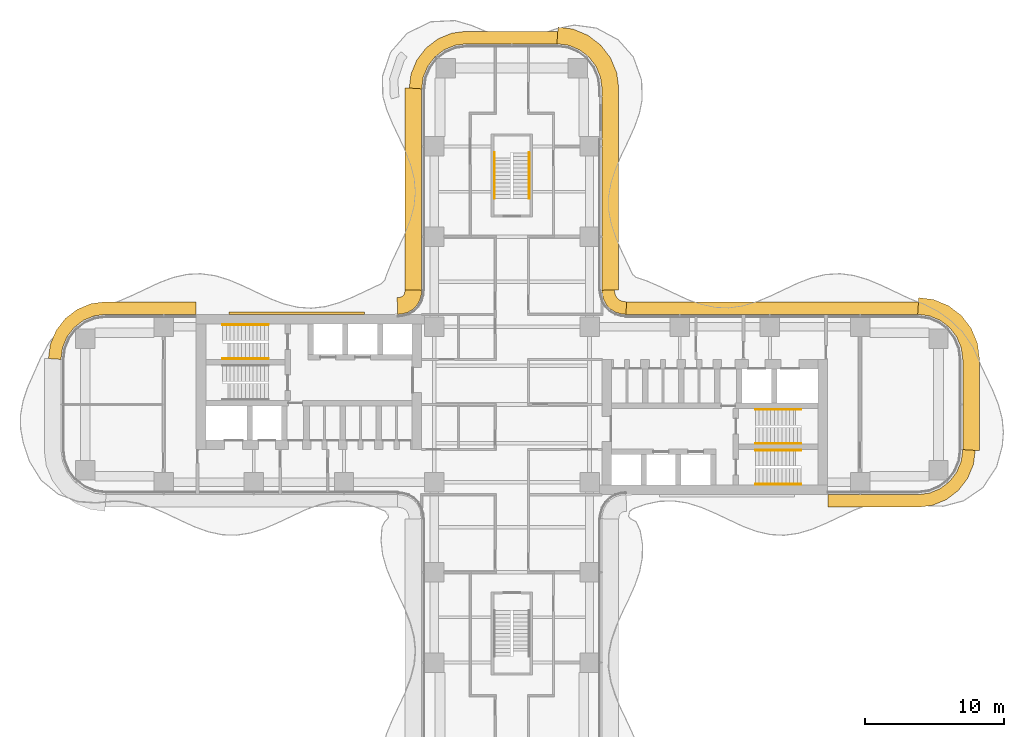
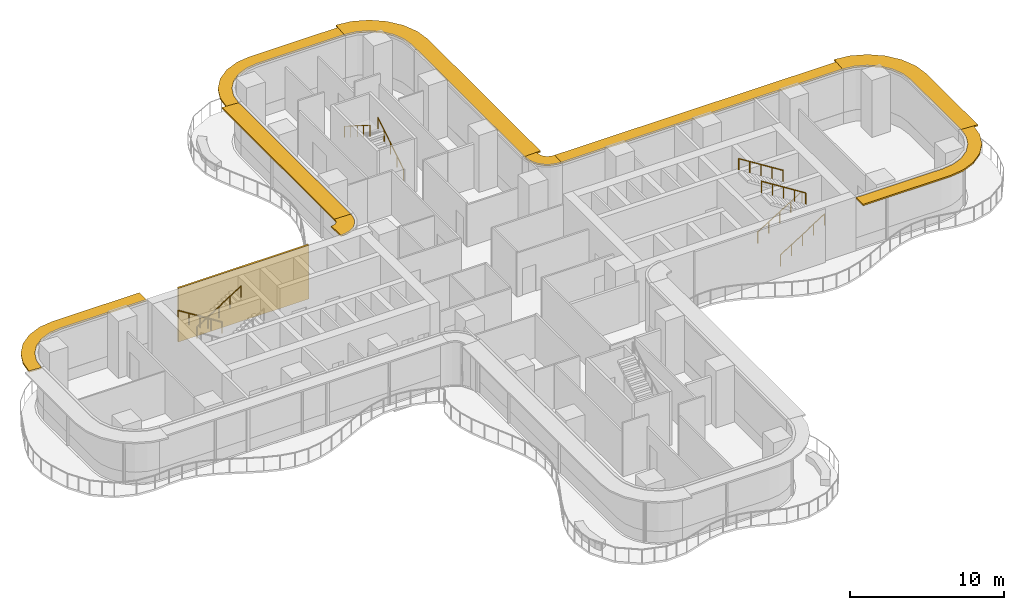
# One storey, part 23 of 23: 9 shading devices, 8 railings, 1 covering.
"""IFC4 building model written with IfcOpenShell, lengths in metres."""

from ifc_helpers import new_model, si_unit, direction, frame, origin, origin_2d, place, context, subcontext, project, spatial, polyline, circle, outline, extrude, source, transform, mapped, material, layer, layer_set, type_object, element, save


model = new_model("IFC4")

# Units and contexts
model_context = context("Model", 3, precision=1e-05, world=origin(), true_north=direction((0.0, 1.0)))
body_context = subcontext(model_context, "Body", "Model", "MODEL_VIEW")
ifc_project = project(units=[si_unit("LENGTHUNIT", "METRE"), si_unit("AREAUNIT", "SQUARE_METRE"), si_unit("VOLUMEUNIT", "CUBIC_METRE"), si_unit("PLANEANGLEUNIT", "RADIAN"), si_unit("MASSUNIT", "GRAM", prefix="KILO")], contexts=[model_context])

# Site, building, storey
site_placement = place(None, origin())
site = spatial("IfcSite", under=ifc_project, at=site_placement, CompositionType="ELEMENT")
building_placement = place(site_placement, origin())
building = spatial("IfcBuilding", under=site, at=building_placement, Name="Trellis Farm Tower", CompositionType="ELEMENT")
storey_placement = place(building_placement, frame((0.0, 0.0, 83.5)))
storey = spatial("IfcBuildingStorey", under=building, at=storey_placement, Name="L17", CompositionType="ELEMENT", Elevation=83.5)

# Railings
ifc_material_1 = material(Name="Stainless steel", Category="steel")
railing_type = type_object("IfcRailingType", Name="STAIR HANDRAIL 900", PredefinedType="HANDRAIL", material=ifc_material_1)
shared_shape_1 = source(origin(), body_context, "Body", "SweptSolid", [
    extrude(circle(Radius=0.02392578125, at=origin_2d()), frame((0.0, 0.0, 0.8759765625), z_axis=(0.0, 0.846319618018, 0.532675421018), x_axis=(-1.0, 0.0, 0.0)), (0.0, 0.0, 1.0), 3.89892578125),
    extrude(circle(Radius=0.02099609375, at=origin_2d()), origin(), (0.0, 0.0, 1.0), 0.851806640625),
    extrude(circle(Radius=0.02099609375, at=origin_2d()), frame((0.0, 0.824951171875, 0.519287109375)), (0.0, 0.0, 1.0), 0.851806640625),
    extrude(circle(Radius=0.02099609375, at=origin_2d()), frame((0.0, 1.64990234375, 1.03857421875)), (0.0, 0.0, 1.0), 0.851806640625),
    extrude(circle(Radius=0.02099609375, at=origin_2d()), frame((0.0, 2.474853515625, 1.5576171875)), (0.0, 0.0, 1.0), 0.851806640625),
    extrude(circle(Radius=0.02099609375, at=origin_2d()), frame((0.0, 3.2998046875, 2.076904296875)), (0.0, 0.0, 1.0), 0.851806640625),
])
railing_1_placement = place(storey_placement, frame((1.25, 14.85009765625, 0.173095703125)))
element("IfcRailing", 1, at=railing_1_placement, inside=storey, type_object=railing_type, Name="Stair handrail", PredefinedType="HANDRAIL", context=body_context, shape_type="MappedRepresentation", body=[
    mapped(shared_shape_1, transform((0.0, 0.0, 0.0))),
])
shared_shape_2 = source(origin(), body_context, "Body", "SweptSolid", [
    extrude(circle(Radius=0.02392578125, at=origin_2d()), frame((0.0, 0.0, 0.8759765625), z_axis=(0.0, -0.846319618018, 0.532675421018), x_axis=(1.0, 0.0, 0.0)), (0.0, 0.0, 1.0), 3.89892578125),
    extrude(circle(Radius=0.02099609375, at=origin_2d()), origin(), (0.0, 0.0, 1.0), 0.851806640625),
    extrude(circle(Radius=0.02099609375, at=origin_2d()), frame((0.0, -0.824951171875, 0.519287109375)), (0.0, 0.0, 1.0), 0.851806640625),
    extrude(circle(Radius=0.02099609375, at=origin_2d()), frame((0.0, -1.64990234375, 1.03857421875)), (0.0, 0.0, 1.0), 0.851806640625),
    extrude(circle(Radius=0.02099609375, at=origin_2d()), frame((0.0, -2.474853515625, 1.5576171875)), (0.0, 0.0, 1.0), 0.851806640625),
    extrude(circle(Radius=0.02099609375, at=origin_2d()), frame((0.0, -3.2998046875, 2.076904296875)), (0.0, 0.0, 1.0), 0.851806640625),
])
railing_2_placement = place(storey_placement, frame((-1.25, 18.14990234375, 2.423095703125)))
element("IfcRailing", 2, at=railing_2_placement, inside=storey, type_object=railing_type, Name="Stair handrail", PredefinedType="HANDRAIL", context=body_context, shape_type="MappedRepresentation", body=[
    mapped(shared_shape_2, transform((0.0, 0.0, 0.0))),
])
shared_shape_3 = source(origin(), body_context, "Body", "SweptSolid", [
    extrude(circle(Radius=0.02392578125, at=origin_2d()), frame((0.0, 0.0, 0.8759765625), z_axis=(0.846337383501, 0.0, 0.532647194011), x_axis=(0.0, 1.0, 0.0)), (0.0, 0.0, 1.0), 3.899169921875),
    extrude(circle(Radius=0.02099609375, at=origin_2d()), origin(), (0.0, 0.0, 1.0), 0.851806640625),
    extrude(circle(Radius=0.02099609375, at=origin_2d()), frame((0.824951171875, 0.0, 0.519287109375)), (0.0, 0.0, 1.0), 0.851806640625),
    extrude(circle(Radius=0.02099609375, at=origin_2d()), frame((1.64990234375, 0.0, 1.03857421875)), (0.0, 0.0, 1.0), 0.851806640625),
    extrude(circle(Radius=0.02099609375, at=origin_2d()), frame((2.47509765625, 0.0, 1.5576171875)), (0.0, 0.0, 1.0), 0.851806640625),
    extrude(circle(Radius=0.02099609375, at=origin_2d()), frame((3.300048828125, 0.0, 2.076904296875)), (0.0, 0.0, 1.0), 0.851806640625),
])
for number, where, name in (
    (3, (17.550048828125, -5.75, 0.173095703125), "Stair handrail"),
    (4, (17.550048828125, -2.800048828125, 0.173095703125), "Stair handrail"),
    (5, (-20.85009765625, 3.300048828125, 2.423095703125), "Stair handrail"),
):
    element("IfcRailing", number, at=place(storey_placement, frame(where)), inside=storey, type_object=railing_type, Name=name, PredefinedType="HANDRAIL", context=body_context, shape_type="MappedRepresentation", body=[
        mapped(shared_shape_3, transform((0.0, 0.0, 0.0))),
    ])
shared_shape_4 = source(origin(), body_context, "Body", "SweptSolid", [
    extrude(circle(Radius=0.02392578125, at=origin_2d()), frame((0.0, 0.0, 0.8759765625), z_axis=(-0.846337383501, 0.0, 0.532647194011), x_axis=(0.0, -1.0, 0.0)), (0.0, 0.0, 1.0), 3.899169921875),
    extrude(circle(Radius=0.02099609375, at=origin_2d()), origin(), (0.0, 0.0, 1.0), 0.851806640625),
    extrude(circle(Radius=0.02099609375, at=origin_2d()), frame((-0.824951171875, 0.0, 0.519287109375)), (0.0, 0.0, 1.0), 0.851806640625),
    extrude(circle(Radius=0.02099609375, at=origin_2d()), frame((-1.64990234375, 0.0, 1.03857421875)), (0.0, 0.0, 1.0), 0.851806640625),
    extrude(circle(Radius=0.02099609375, at=origin_2d()), frame((-2.47509765625, 0.0, 1.5576171875)), (0.0, 0.0, 1.0), 0.851806640625),
    extrude(circle(Radius=0.02099609375, at=origin_2d()), frame((-3.300048828125, 0.0, 2.076904296875)), (0.0, 0.0, 1.0), 0.851806640625),
])
for number, where, name in (
    (6, (20.85009765625, -3.300048828125, 2.423095703125), "Stair handrail"),
    (7, (20.85009765625, -0.35009765625, 2.423095703125), "Stair handrail"),
    (8, (-17.550048828125, 5.75, 0.173095703125), "Stair handrail"),
):
    element("IfcRailing", number, at=place(storey_placement, frame(where)), inside=storey, type_object=railing_type, Name=name, PredefinedType="HANDRAIL", context=body_context, shape_type="MappedRepresentation", body=[
        mapped(shared_shape_4, transform((0.0, 0.0, 0.0))),
    ])

# Shading devices
ifc_material_2 = material(Name="Aluminium extrusion 6063-T6", Category="aluminium")
ifc_layer_1 = layer(ifc_material_2, 0.1201171875)
ifc_layer_set_1 = layer_set([ifc_layer_1], Name="SUNSHADE BLADE 900")
shading_device_type_1 = type_object("IfcShadingDeviceType", Name="SUNSHADE BLADE 900", PredefinedType="USERDEFINED", material=ifc_layer_set_1)
shared_shape_5 = source(origin(), body_context, "Body", "SweptSolid", [
    extrude(outline(polyline([(22.780029296875, -7.39990234375), (29.30908203125, -7.39990234375), (30.326171875, -7.26611328125), (31.328857421875, -6.850830078125), (32.18994140625, -6.18994140625), (32.850830078125, -5.328857421875), (33.26611328125, -4.326171875), (33.39990234375, -3.30908203125), (32.5, -3.25), (32.38916015625, -4.091064453125), (32.064697265625, -4.875), (31.548095703125, -5.548095703125), (30.875, -6.064697265625), (30.091064453125, -6.38916015625), (29.25, -6.5), (22.780029296875, -6.5), (22.780029296875, -7.39990234375)])), origin(), (0.0, 0.0, 1.0), 0.119873046875),
])
placement = place(storey_placement, frame((0.0, 0.0, 4.090087890625)))
element("IfcShadingDevice", 9, at=placement, inside=storey, type_object=shading_device_type_1, Name="SD1 007", ObjectType="SUNSHADE", PredefinedType="USERDEFINED", context=body_context, shape_type="MappedRepresentation", body=[
    mapped(shared_shape_5, transform((0.0, 0.0, 0.0))),
])
ifc_layer_2 = layer(ifc_material_2, 0.1201171875)
ifc_layer_set_2 = layer_set([ifc_layer_2], Name="SUNSHADE BLADE 1200")
shading_device_type_2 = type_object("IfcShadingDeviceType", Name="SUNSHADE BLADE 1200", PredefinedType="USERDEFINED", material=ifc_layer_set_2)
shared_shape_6 = source(origin(), body_context, "Body", "SweptSolid", [
    extrude(outline(polyline([(33.699951171875, -3.32861328125), (33.699951171875, 3.32861328125), (33.558349609375, 4.404541015625), (33.11279296875, 5.480224609375), (32.404052734375, 6.404052734375), (31.480224609375, 7.11279296875), (30.404541015625, 7.558349609375), (29.32861328125, 7.699951171875), (29.25, 6.5), (30.091064453125, 6.38916015625), (30.875, 6.064697265625), (31.548095703125, 5.548095703125), (32.064697265625, 4.875), (32.38916015625, 4.091064453125), (32.5, 3.25), (32.5, -3.25), (33.699951171875, -3.32861328125)])), origin(), (0.0, 0.0, 1.0), 0.119873046875),
])
element("IfcShadingDevice", 10, at=placement, inside=storey, type_object=shading_device_type_2, Name="SD2 008", ObjectType="SUNSHADE", PredefinedType="USERDEFINED", context=body_context, shape_type="MappedRepresentation", body=[
    mapped(shared_shape_6, transform((0.0, 0.0, 0.0))),
])
shared_shape_7 = source(origin(), body_context, "Body", "SweptSolid", [
    extrude(outline(polyline([(29.30908203125, 7.39990234375), (8.2607421875, 7.39990234375), (8.2314453125, 6.5), (29.25, 6.5), (29.30908203125, 7.39990234375)])), origin(), (0.0, 0.0, 1.0), 0.119873046875),
])
element("IfcShadingDevice", 11, at=placement, inside=storey, type_object=shading_device_type_1, Name="SD1 009", ObjectType="SUNSHADE", PredefinedType="USERDEFINED", context=body_context, shape_type="MappedRepresentation", body=[
    mapped(shared_shape_7, transform((0.0, 0.0, 0.0))),
])
shared_shape_8 = source(origin(), body_context, "Body", "SweptSolid", [
    extrude(outline(polyline([(8.2607421875, 7.39990234375), (8.107666015625, 7.409912109375), (8.091552734375, 7.412109375), (7.85595703125, 7.475341796875), (7.697021484375, 7.567138671875), (7.567138671875, 7.697021484375), (7.475341796875, 7.85595703125), (7.412109375, 8.091552734375), (7.409912109375, 8.107666015625), (7.39990234375, 8.2607421875), (6.5, 8.2314453125), (6.513916015625, 8.01953125), (6.527587890625, 7.91552734375), (6.63671875, 7.508544921875), (6.846923828125, 7.144287109375), (7.144287109375, 6.846923828125), (7.508544921875, 6.63671875), (7.91552734375, 6.527587890625), (8.01953125, 6.513916015625), (8.2314453125, 6.5), (8.2607421875, 7.39990234375)])), origin(), (0.0, 0.0, 1.0), 0.119873046875),
])
element("IfcShadingDevice", 12, at=placement, inside=storey, type_object=shading_device_type_1, Name="SD1 010", ObjectType="SUNSHADE", PredefinedType="USERDEFINED", context=body_context, shape_type="MappedRepresentation", body=[
    mapped(shared_shape_8, transform((0.0, 0.0, 0.0))),
])
shared_shape_9 = source(origin(), body_context, "Body", "SweptSolid", [
    extrude(outline(polyline([(-7.699951171875, 8.270751953125), (-7.708740234375, 8.13720703125), (-7.70703125, 8.150146484375), (-7.7548828125, 7.9716796875), (-7.80712890625, 7.881103515625), (-7.881103515625, 7.80712890625), (-7.9716796875, 7.7548828125), (-8.150146484375, 7.70703125), (-8.13720703125, 7.708740234375), (-8.270751953125, 7.699951171875), (-8.2314453125, 6.5), (-8.01953125, 6.513916015625), (-7.91552734375, 6.527587890625), (-7.508544921875, 6.63671875), (-7.144287109375, 6.846923828125), (-6.846923828125, 7.144287109375), (-6.63671875, 7.508544921875), (-6.527587890625, 7.91552734375), (-6.513916015625, 8.01953125), (-6.5, 8.2314453125), (-7.699951171875, 8.270751953125)])), origin(), (0.0, 0.0, 1.0), 0.119873046875),
])
element("IfcShadingDevice", 13, at=placement, inside=storey, type_object=shading_device_type_2, Name="SD2 014", ObjectType="SUNSHADE", PredefinedType="USERDEFINED", context=body_context, shape_type="MappedRepresentation", body=[
    mapped(shared_shape_9, transform((0.0, 0.0, 0.0))),
])
shared_shape_10 = source(origin(), body_context, "Body", "SweptSolid", [
    extrude(outline(polyline([(-22.780029296875, 7.39990234375), (-29.30908203125, 7.39990234375), (-30.326171875, 7.26611328125), (-31.328857421875, 6.850830078125), (-32.18994140625, 6.18994140625), (-32.850830078125, 5.328857421875), (-33.26611328125, 4.326171875), (-33.39990234375, 3.30908203125), (-32.5, 3.25), (-32.38916015625, 4.091064453125), (-32.064697265625, 4.875), (-31.548095703125, 5.548095703125), (-30.875, 6.064697265625), (-30.091064453125, 6.38916015625), (-29.25, 6.5), (-22.780029296875, 6.5), (-22.780029296875, 7.39990234375)])), origin(), (0.0, 0.0, 1.0), 0.119873046875),
])
element("IfcShadingDevice", 14, at=placement, inside=storey, type_object=shading_device_type_1, Name="SD1 015", ObjectType="SUNSHADE", PredefinedType="USERDEFINED", context=body_context, shape_type="MappedRepresentation", body=[
    mapped(shared_shape_10, transform((0.0, 0.0, 0.0))),
])

# Covering
ifc_material_3 = material(Name="Perforated precast screen (cobogo)", Category="concrete")
ifc_layer_3 = layer(ifc_material_3, 0.14990234375)
ifc_layer_set_3 = layer_set([ifc_layer_3], Name="COBOGO SCREEN PANEL")
covering_type = type_object("IfcCoveringType", Name="COBOGO SCREEN PANEL", PredefinedType="USERDEFINED", material=ifc_layer_set_3)
shared_shape_11 = source(origin(), body_context, "Body", "SweptSolid", [
    extrude(outline(polyline([(-10.630615234375, 6.64990234375), (-20.380615234375, 6.64990234375), (-20.380615234375, 6.5), (-10.630615234375, 6.5), (-10.630615234375, 6.64990234375)])), origin(), (0.0, 0.0, 1.0), 4.25),
])
covering_placement = place(storey_placement, origin())
element("IfcCovering", 15, at=covering_placement, inside=storey, type_object=covering_type, Name="SC1 02", ObjectType="SCREEN", PredefinedType="USERDEFINED", context=body_context, shape_type="MappedRepresentation", body=[
    mapped(shared_shape_11, transform((0.0, 0.0, 0.0))),
])

# Shading devices
shared_shape_12 = source(origin(), body_context, "Body", "SweptSolid", [
    extrude(outline(polyline([(7.699951171875, 8.270751953125), (7.699951171875, 22.82861328125), (7.558349609375, 23.904541015625), (7.11279296875, 24.980224609375), (6.404052734375, 25.904052734375), (5.480224609375, 26.61279296875), (4.404541015625, 27.058349609375), (3.32861328125, 27.199951171875), (3.25, 26.0), (4.091064453125, 25.88916015625), (4.875, 25.564697265625), (5.548095703125, 25.048095703125), (6.064697265625, 24.375), (6.38916015625, 23.591064453125), (6.5, 22.75), (6.5, 8.2314453125), (7.699951171875, 8.270751953125)])), origin(), (0.0, 0.0, 1.0), 0.119873046875),
])
element("IfcShadingDevice", 16, at=placement, inside=storey, type_object=shading_device_type_2, Name="SD2 011", ObjectType="SUNSHADE", PredefinedType="USERDEFINED", context=body_context, shape_type="MappedRepresentation", body=[
    mapped(shared_shape_12, transform((0.0, 0.0, 0.0))),
])
shared_shape_13 = source(origin(), body_context, "Body", "SweptSolid", [
    extrude(outline(polyline([(3.30908203125, 26.89990234375), (-3.30908203125, 26.89990234375), (-4.326171875, 26.76611328125), (-5.328857421875, 26.350830078125), (-6.18994140625, 25.68994140625), (-6.850830078125, 24.828857421875), (-7.26611328125, 23.826171875), (-7.39990234375, 22.80908203125), (-6.5, 22.75), (-6.38916015625, 23.591064453125), (-6.064697265625, 24.375), (-5.548095703125, 25.048095703125), (-4.875, 25.564697265625), (-4.091064453125, 25.88916015625), (-3.25, 26.0), (3.25, 26.0), (3.30908203125, 26.89990234375)])), origin(), (0.0, 0.0, 1.0), 0.119873046875),
])
element("IfcShadingDevice", 17, at=placement, inside=storey, type_object=shading_device_type_1, Name="SD1 012", ObjectType="SUNSHADE", PredefinedType="USERDEFINED", context=body_context, shape_type="MappedRepresentation", body=[
    mapped(shared_shape_13, transform((0.0, 0.0, 0.0))),
])
shared_shape_14 = source(origin(), body_context, "Body", "SweptSolid", [
    extrude(outline(polyline([(-7.699951171875, 22.82861328125), (-7.699951171875, 8.270751953125), (-6.5, 8.2314453125), (-6.5, 22.75), (-7.699951171875, 22.82861328125)])), origin(), (0.0, 0.0, 1.0), 0.119873046875),
])
element("IfcShadingDevice", 18, at=placement, inside=storey, type_object=shading_device_type_2, Name="SD2 013", ObjectType="SUNSHADE", PredefinedType="USERDEFINED", context=body_context, shape_type="MappedRepresentation", body=[
    mapped(shared_shape_14, transform((0.0, 0.0, 0.0))),
])

save(model, "model.ifc")
